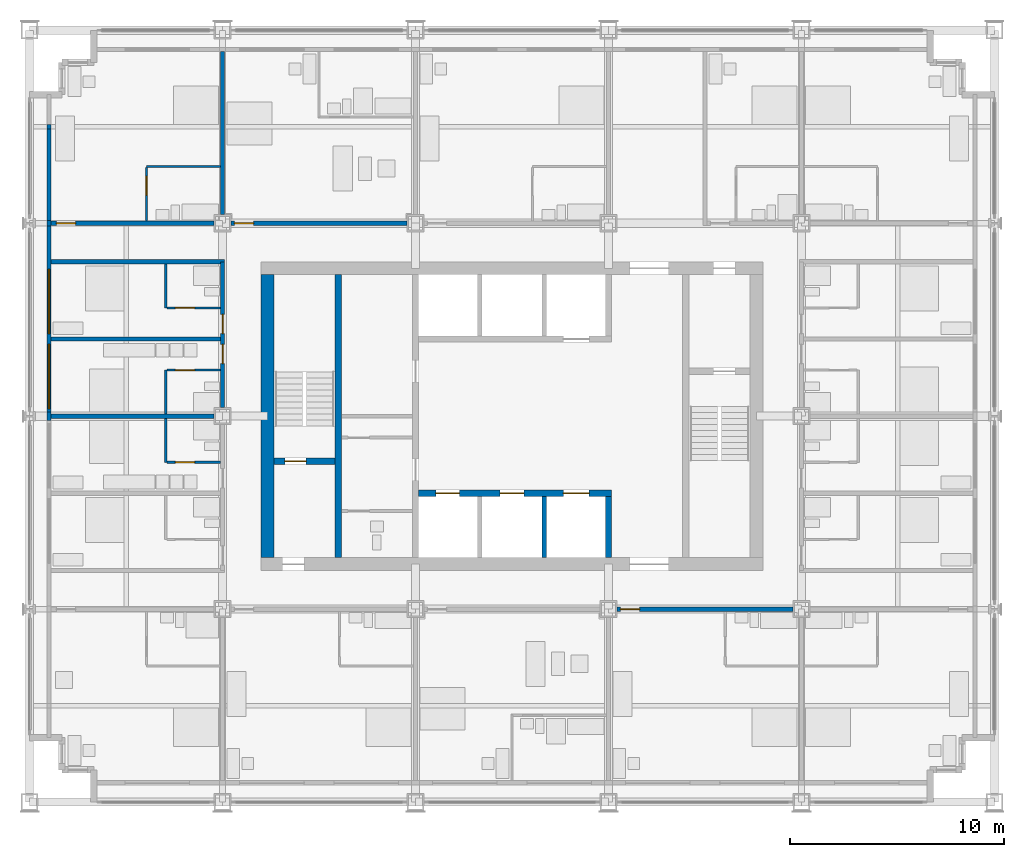
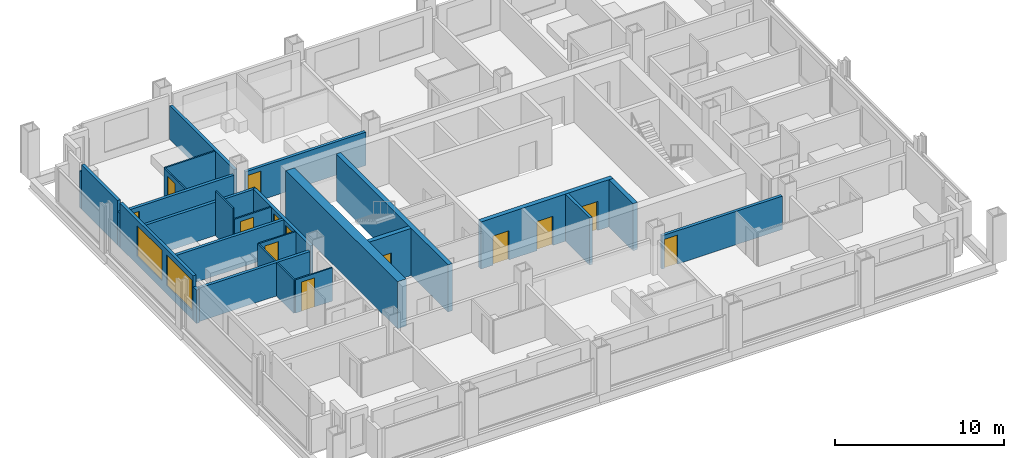
# One storey, part 10 of 16: 27 walls, 13 doors, 2 windows, 15 openings.
"""IFC4 building model written with IfcOpenShell, lengths in metres."""

from ifc_helpers import new_model, si_unit, direction, frame, frame_2d, origin, place, context, subcontext, project, spatial, rectangle, extrude, material, layer, layer_set, type_object, element, fill, save


model = new_model("IFC4")

# Units and contexts
model_context = context("Model", 3, precision=1e-05, world=origin(), true_north=direction((0.0, 1.0)))
body_context = subcontext(model_context, "Body", "Model", "MODEL_VIEW")
ifc_project = project(units=[si_unit("LENGTHUNIT", "METRE"), si_unit("AREAUNIT", "SQUARE_METRE"), si_unit("VOLUMEUNIT", "CUBIC_METRE"), si_unit("PLANEANGLEUNIT", "RADIAN"), si_unit("MASSUNIT", "GRAM", prefix="KILO")], contexts=[model_context])

# Site, building, storey
site_placement = place(None, origin())
site = spatial("IfcSite", under=ifc_project, at=site_placement, CompositionType="ELEMENT")
building_placement = place(site_placement, origin())
building = spatial("IfcBuilding", under=site, at=building_placement, Name="Loomwork Tower", CompositionType="ELEMENT")
storey_placement = place(building_placement, frame((0.0, 0.0, 114.60009765625)))
storey = spatial("IfcBuildingStorey", under=building, at=storey_placement, Name="L30", CompositionType="ELEMENT", Elevation=114.60009765625)

# Wall
ifc_material_1 = material(Name="Concrete 14000 psi (97 MPa)", Category="concrete")
ifc_layer_1 = layer(ifc_material_1, 0.300048828125)
ifc_layer_set_1 = layer_set([ifc_layer_1], Name="Core shear wall 300")
wall_type_1 = type_object("IfcWallType", Name="Core shear wall 300", PredefinedType="SHEAR", material=ifc_layer_set_1)
wall_1_placement = place(storey_placement, frame((14.39990234375, 11.39990234375, 0.0), z_axis=(0.0, 0.0, 1.0), x_axis=(0.0, 1.0, 0.0)))
element("IfcWall", 1, at=wall_1_placement, inside=storey, type_object=wall_type_1, Name="Stair A east wall L30", PredefinedType="SHEAR", context=body_context, shape_type="SweptSolid", body=[
    extrude(rectangle(XDim=13.2001953125, YDim=0.300048828125, at=frame_2d((6.60009765625, 0.0))), origin(), (0.0, 0.0, 1.0), 3.39990234375),
])

# Wall, opening, door
wall_2_placement = place(storey_placement, frame((11.39990234375, 15.89990234375, 0.0), z_axis=(0.0, 0.0, 1.0), x_axis=(1.0, 0.0, 0.0)))
wall_2 = element("IfcWall", 2, at=wall_2_placement, inside=storey, type_object=wall_type_1, Name="Stair A south wall L30", PredefinedType="SHEAR", context=body_context, shape_type="SweptSolid", body=[
    extrude(rectangle(XDim=2.85009765625, YDim=0.300048828125, at=frame_2d((1.425048828125, 0.0))), origin(), (0.0, 0.0, 1.0), 3.39990234375),
])
opening_1_placement = place(wall_2_placement, frame((0.5, 0.0, 0.0)))
opening_1 = element("IfcOpeningElement", 3, at=opening_1_placement, cuts=wall_2, Name="Opening D4", PredefinedType="OPENING", context=body_context, shape_type="SweptSolid", body=[
    extrude(rectangle(XDim=1.0, YDim=2.10009765625, at=frame_2d((0.5, 1.050048828125))), frame((0.0, 0.159912109375, 0.0), z_axis=(0.0, -1.0, 0.0), x_axis=(1.0, 0.0, 0.0)), (0.0, 0.0, 1.0), 0.320068359375),
])
ifc_material_2 = material(Name="Hollow metal door and frame")
door_type_1 = type_object("IfcDoorType", Name="Stair door 1000", OperationType="SINGLE_SWING_RIGHT", PredefinedType="DOOR", material=ifc_material_2)
door_1_placement = place(opening_1_placement, origin())
door_1 = element("IfcDoor", 4, at=door_1_placement, inside=storey, type_object=door_type_1, Name="Stair A door", OperationType="SINGLE_SWING_LEFT", OverallHeight=2.10009765625, OverallWidth=1.0, PredefinedType="DOOR", context=body_context, shape_type="SweptSolid", body=[
    extrude(rectangle(XDim=1.0, YDim=2.10009765625, at=frame_2d((0.5, 1.050048828125))), frame((0.0, 0.02490234375, 0.0), z_axis=(0.0, -1.0, 0.0), x_axis=(1.0, 0.0, 0.0)), (0.0, 0.0, 1.0), 0.050048828125),
])
fill(opening_1, door_1)

# Wall, openings, doors
wall_3_placement = place(storey_placement, frame((18.14990234375, 14.39990234375, 0.0), z_axis=(0.0, 0.0, 1.0), x_axis=(1.0, 0.0, 0.0)))
wall_3 = element("IfcWall", 5, at=wall_3_placement, inside=storey, type_object=wall_type_1, Name="Lift front wall south L30", PredefinedType="SHEAR", context=body_context, shape_type="SweptSolid", body=[
    extrude(rectangle(XDim=9.0, YDim=0.300048828125, at=frame_2d((4.5, 0.0))), origin(), (0.0, 0.0, 1.0), 3.39990234375),
])
opening_2_placement = place(wall_3_placement, frame((0.800048828125, 0.0, 0.0)))
opening_2 = element("IfcOpeningElement", 6, at=opening_2_placement, cuts=wall_3, Name="Opening LD1", PredefinedType="OPENING", context=body_context, shape_type="SweptSolid", body=[
    extrude(rectangle(XDim=1.10009765625, YDim=2.10009765625, at=frame_2d((0.550048828125, 1.050048828125))), frame((0.0, 0.159912109375, 0.0), z_axis=(0.0, -1.0, 0.0), x_axis=(1.0, 0.0, 0.0)), (0.0, 0.0, 1.0), 0.320068359375),
])
opening_3_placement = place(wall_3_placement, frame((3.800048828125, 0.0, 0.0)))
opening_3 = element("IfcOpeningElement", 7, at=opening_3_placement, cuts=wall_3, Name="Opening LD1", PredefinedType="OPENING", context=body_context, shape_type="SweptSolid", body=[
    extrude(rectangle(XDim=1.10009765625, YDim=2.10009765625, at=frame_2d((0.550048828125, 1.050048828125))), frame((0.0, 0.159912109375, 0.0), z_axis=(0.0, -1.0, 0.0), x_axis=(1.0, 0.0, 0.0)), (0.0, 0.0, 1.0), 0.320068359375),
])
opening_4_placement = place(wall_3_placement, frame((6.75, 0.0, 0.0)))
opening_4 = element("IfcOpeningElement", 8, at=opening_4_placement, cuts=wall_3, Name="Opening LD2", PredefinedType="OPENING", context=body_context, shape_type="SweptSolid", body=[
    extrude(rectangle(XDim=1.199951171875, YDim=2.10009765625, at=frame_2d((0.60009765625, 1.050048828125))), frame((0.0, 0.159912109375, 0.0), z_axis=(0.0, -1.0, 0.0), x_axis=(1.0, 0.0, 0.0)), (0.0, 0.0, 1.0), 0.320068359375),
])
ifc_material_3 = material(Name="Hollow metal door and frame")
door_type_2 = type_object("IfcDoorType", Name="Lift landing door 1100", OperationType="SLIDING_TO_LEFT", PredefinedType="DOOR", material=ifc_material_3)
door_2_placement = place(opening_2_placement, origin())
door_2 = element("IfcDoor", 9, at=door_2_placement, inside=storey, type_object=door_type_2, Name="Lift landing door LB1", OperationType="SLIDING_TO_LEFT", OverallHeight=2.10009765625, OverallWidth=1.10009765625, PredefinedType="DOOR", context=body_context, shape_type="SweptSolid", body=[
    extrude(rectangle(XDim=1.10009765625, YDim=2.10009765625, at=frame_2d((0.550048828125, 1.050048828125))), frame((0.0, 0.02490234375, 0.0), z_axis=(0.0, -1.0, 0.0), x_axis=(1.0, 0.0, 0.0)), (0.0, 0.0, 1.0), 0.050048828125),
])
fill(opening_2, door_2)
door_3_placement = place(opening_3_placement, origin())
door_3 = element("IfcDoor", 10, at=door_3_placement, inside=storey, type_object=door_type_2, Name="Lift landing door LB2", OperationType="SLIDING_TO_LEFT", OverallHeight=2.10009765625, OverallWidth=1.10009765625, PredefinedType="DOOR", context=body_context, shape_type="SweptSolid", body=[
    extrude(rectangle(XDim=1.10009765625, YDim=2.10009765625, at=frame_2d((0.550048828125, 1.050048828125))), frame((0.0, 0.02490234375, 0.0), z_axis=(0.0, -1.0, 0.0), x_axis=(1.0, 0.0, 0.0)), (0.0, 0.0, 1.0), 0.050048828125),
])
fill(opening_3, door_3)
ifc_material_4 = material(Name="Hollow metal door and frame")
door_type_3 = type_object("IfcDoorType", Name="Lift landing door 1200", OperationType="SLIDING_TO_LEFT", PredefinedType="DOOR", material=ifc_material_4)
door_4_placement = place(opening_4_placement, origin())
door_4 = element("IfcDoor", 11, at=door_4_placement, inside=storey, type_object=door_type_3, Name="Lift landing door LF1", OperationType="SLIDING_TO_LEFT", OverallHeight=2.10009765625, OverallWidth=1.199951171875, PredefinedType="DOOR", context=body_context, shape_type="SweptSolid", body=[
    extrude(rectangle(XDim=1.199951171875, YDim=2.10009765625, at=frame_2d((0.60009765625, 1.050048828125))), frame((0.0, 0.02490234375, 0.0), z_axis=(0.0, -1.0, 0.0), x_axis=(1.0, 0.0, 0.0)), (0.0, 0.0, 1.0), 0.050048828125),
])
fill(opening_4, door_4)

# Walls
wall_4_placement = place(storey_placement, frame((27.0, 11.39990234375, 0.0), z_axis=(0.0, 0.0, 1.0), x_axis=(0.0, 1.0, 0.0)))
element("IfcWall", 12, at=wall_4_placement, inside=storey, type_object=wall_type_1, Name="Lift shaft end wall south L30", PredefinedType="SHEAR", context=body_context, shape_type="SweptSolid", body=[
    extrude(rectangle(XDim=2.85009765625, YDim=0.300048828125, at=frame_2d((1.425048828125, 0.0))), origin(), (0.0, 0.0, 1.0), 3.39990234375),
])
ifc_material_5 = material(Name="Concrete 14000 psi (97 MPa)", Category="concrete")
ifc_layer_2 = layer(ifc_material_5, 0.60009765625)
ifc_layer_set_2 = layer_set([ifc_layer_2], Name="Core shear wall 600")
wall_type_2 = type_object("IfcWallType", Name="Core shear wall 600", PredefinedType="SHEAR", material=ifc_layer_set_2)
wall_5_placement = place(storey_placement, frame((11.10009765625, 11.39990234375, 0.0), z_axis=(0.0, 0.0, 1.0), x_axis=(0.0, 1.0, 0.0)))
element("IfcWall", 13, at=wall_5_placement, inside=storey, type_object=wall_type_2, Name="Core wall west L30", PredefinedType="SHEAR", context=body_context, shape_type="SweptSolid", body=[
    extrude(rectangle(XDim=13.2001953125, YDim=0.60009765625, at=frame_2d((6.60009765625, 0.0))), origin(), (0.0, 0.0, 1.0), 3.39990234375),
])

# Wall, opening, door
ifc_material_6 = material(Name="Gypsum board on steel studs, one-hour", Category="steel")
ifc_layer_3 = layer(ifc_material_6, 0.199951171875)
ifc_layer_set_3 = layer_set([ifc_layer_3], Name="Corridor wall 200")
wall_type_3 = type_object("IfcWallType", Name="Corridor wall 200", PredefinedType="PARTITIONING", material=ifc_layer_set_3)
wall_6_placement = place(storey_placement, frame((27.39990234375, 9.0, 0.0), z_axis=(0.0, 0.0, 1.0), x_axis=(1.0, 0.0, 0.0)))
wall_6 = element("IfcWall", 14, at=wall_6_placement, inside=storey, type_object=wall_type_3, Name="South corridor wall 4", PredefinedType="PARTITIONING", context=body_context, shape_type="SweptSolid", body=[
    extrude(rectangle(XDim=8.2001953125, YDim=0.199951171875, at=frame_2d((4.10009765625, 0.0))), origin(), (0.0, 0.0, 1.0), 2.40478515625),
])
opening_5_placement = place(wall_6_placement, frame((0.14990234375, 0.0, 0.0)))
opening_5 = element("IfcOpeningElement", 15, at=opening_5_placement, cuts=wall_6, Name="Opening D1", PredefinedType="OPENING", context=body_context, shape_type="SweptSolid", body=[
    extrude(rectangle(XDim=0.89990234375, YDim=2.10009765625, at=frame_2d((0.449951171875, 1.050048828125))), frame((0.0, 0.10986328125, 0.0), z_axis=(0.0, -1.0, 0.0), x_axis=(1.0, 0.0, 0.0)), (0.0, 0.0, 1.0), 0.219970703125),
])
ifc_material_7 = material(Name="Hollow metal door and frame")
door_type_4 = type_object("IfcDoorType", Name="Guest room entry door 900", OperationType="SINGLE_SWING_LEFT", PredefinedType="DOOR", material=ifc_material_7)
door_5_placement = place(opening_5_placement, frame((0.89990234375, 0.0, 0.0), z_axis=(0.0, 0.0, 1.0), x_axis=(-1.0, 0.0, 0.0)))
door_5 = element("IfcDoor", 16, at=door_5_placement, inside=storey, type_object=door_type_4, Name="Guest room entry door L30 4", OperationType="SINGLE_SWING_RIGHT", OverallHeight=2.10009765625, OverallWidth=0.89990234375, PredefinedType="DOOR", context=body_context, shape_type="SweptSolid", body=[
    extrude(rectangle(XDim=0.89990234375, YDim=2.10009765625, at=frame_2d((0.449951171875, 1.050048828125))), frame((0.0, 0.02490234375, 0.0), z_axis=(0.0, -1.0, 0.0), x_axis=(1.0, 0.0, 0.0)), (0.0, 0.0, 1.0), 0.050048828125),
])
fill(opening_5, door_5)

wall_7_placement = place(storey_placement, frame((1.0, 27.0, 0.0), z_axis=(0.0, 0.0, 1.0), x_axis=(1.0, 0.0, 0.0)))
wall_7 = element("IfcWall", 17, at=wall_7_placement, inside=storey, type_object=wall_type_3, Name="North corridor wall 1", PredefinedType="PARTITIONING", context=body_context, shape_type="SweptSolid", body=[
    extrude(rectangle(XDim=7.60009765625, YDim=0.199951171875, at=frame_2d((3.800048828125, 0.0))), origin(), (0.0, 0.0, 1.0), 2.43798828125),
])
opening_6_placement = place(wall_7_placement, frame((0.25, 0.0, 0.0)))
opening_6 = element("IfcOpeningElement", 18, at=opening_6_placement, cuts=wall_7, Name="Opening D1", PredefinedType="OPENING", context=body_context, shape_type="SweptSolid", body=[
    extrude(rectangle(XDim=0.89990234375, YDim=2.10009765625, at=frame_2d((0.449951171875, 1.050048828125))), frame((0.0, 0.10986328125, 0.0), z_axis=(0.0, -1.0, 0.0), x_axis=(1.0, 0.0, 0.0)), (0.0, 0.0, 1.0), 0.219970703125),
])
door_6_placement = place(opening_6_placement, origin())
door_6 = element("IfcDoor", 19, at=door_6_placement, inside=storey, type_object=door_type_4, Name="Guest room entry door L30 6", OperationType="SINGLE_SWING_LEFT", OverallHeight=2.10009765625, OverallWidth=0.89990234375, PredefinedType="DOOR", context=body_context, shape_type="SweptSolid", body=[
    extrude(rectangle(XDim=0.89990234375, YDim=2.10009765625, at=frame_2d((0.449951171875, 1.050048828125))), frame((0.0, 0.02490234375, 0.0), z_axis=(0.0, -1.0, 0.0), x_axis=(1.0, 0.0, 0.0)), (0.0, 0.0, 1.0), 0.050048828125),
])
fill(opening_6, door_6)

wall_8_placement = place(storey_placement, frame((9.39990234375, 27.0, 0.0), z_axis=(0.0, 0.0, 1.0), x_axis=(1.0, 0.0, 0.0)))
wall_8 = element("IfcWall", 20, at=wall_8_placement, inside=storey, type_object=wall_type_3, Name="North corridor wall 2", PredefinedType="PARTITIONING", context=body_context, shape_type="SweptSolid", body=[
    extrude(rectangle(XDim=8.2001953125, YDim=0.199951171875, at=frame_2d((4.10009765625, 0.0))), origin(), (0.0, 0.0, 1.0), 2.40478515625),
])
opening_7_placement = place(wall_8_placement, frame((0.14990234375, 0.0, 0.0)))
opening_7 = element("IfcOpeningElement", 21, at=opening_7_placement, cuts=wall_8, Name="Opening D1", PredefinedType="OPENING", context=body_context, shape_type="SweptSolid", body=[
    extrude(rectangle(XDim=0.89990234375, YDim=2.10009765625, at=frame_2d((0.449951171875, 1.050048828125))), frame((0.0, 0.10986328125, 0.0), z_axis=(0.0, -1.0, 0.0), x_axis=(1.0, 0.0, 0.0)), (0.0, 0.0, 1.0), 0.219970703125),
])
door_7_placement = place(opening_7_placement, origin())
door_7 = element("IfcDoor", 22, at=door_7_placement, inside=storey, type_object=door_type_4, Name="Guest room entry door L30 7", OperationType="SINGLE_SWING_LEFT", OverallHeight=2.10009765625, OverallWidth=0.89990234375, PredefinedType="DOOR", context=body_context, shape_type="SweptSolid", body=[
    extrude(rectangle(XDim=0.89990234375, YDim=2.10009765625, at=frame_2d((0.449951171875, 1.050048828125))), frame((0.0, 0.02490234375, 0.0), z_axis=(0.0, -1.0, 0.0), x_axis=(1.0, 0.0, 0.0)), (0.0, 0.0, 1.0), 0.050048828125),
])
fill(opening_7, door_7)

# Wall, openings, doors
wall_9_placement = place(storey_placement, frame((9.0, 18.39990234375, 0.0), z_axis=(0.0, 0.0, 1.0), x_axis=(0.0, 1.0, 0.0)))
wall_9 = element("IfcWall", 23, at=wall_9_placement, inside=storey, type_object=wall_type_3, Name="West corridor wall 2", PredefinedType="PARTITIONING", context=body_context, shape_type="SweptSolid", body=[
    extrude(rectangle(XDim=6.800048828125, YDim=0.199951171875, at=frame_2d((3.39990234375, 0.0))), origin(), (0.0, 0.0, 1.0), 2.40478515625),
])
opening_8_placement = place(wall_9_placement, frame((2.050048828125, 0.0, 0.0)))
opening_8 = element("IfcOpeningElement", 24, at=opening_8_placement, cuts=wall_9, Name="Opening D1", PredefinedType="OPENING", context=body_context, shape_type="SweptSolid", body=[
    extrude(rectangle(XDim=0.89990234375, YDim=2.10009765625, at=frame_2d((0.449951171875, 1.050048828125))), frame((0.0, 0.10986328125, 0.0), z_axis=(0.0, -1.0, 0.0), x_axis=(1.0, 0.0, 0.0)), (0.0, 0.0, 1.0), 0.219970703125),
])
opening_9_placement = place(wall_9_placement, frame((3.449951171875, 0.0, 0.0)))
opening_9 = element("IfcOpeningElement", 25, at=opening_9_placement, cuts=wall_9, Name="Opening D1", PredefinedType="OPENING", context=body_context, shape_type="SweptSolid", body=[
    extrude(rectangle(XDim=0.89990234375, YDim=2.10009765625, at=frame_2d((0.449951171875, 1.050048828125))), frame((0.0, 0.10986328125, 0.0), z_axis=(0.0, -1.0, 0.0), x_axis=(1.0, 0.0, 0.0)), (0.0, 0.0, 1.0), 0.219970703125),
])
door_8_placement = place(opening_8_placement, origin())
door_8 = element("IfcDoor", 26, at=door_8_placement, inside=storey, type_object=door_type_4, Name="Guest room entry door L30 13", OperationType="SINGLE_SWING_RIGHT", OverallHeight=2.10009765625, OverallWidth=0.89990234375, PredefinedType="DOOR", context=body_context, shape_type="SweptSolid", body=[
    extrude(rectangle(XDim=0.89990234375, YDim=2.10009765625, at=frame_2d((0.449951171875, 1.050048828125))), frame((0.0, 0.02490234375, 0.0), z_axis=(0.0, -1.0, 0.0), x_axis=(1.0, 0.0, 0.0)), (0.0, 0.0, 1.0), 0.050048828125),
])
fill(opening_8, door_8)
door_9_placement = place(opening_9_placement, origin())
door_9 = element("IfcDoor", 27, at=door_9_placement, inside=storey, type_object=door_type_4, Name="Guest room entry door L30 14", OperationType="SINGLE_SWING_LEFT", OverallHeight=2.10009765625, OverallWidth=0.89990234375, PredefinedType="DOOR", context=body_context, shape_type="SweptSolid", body=[
    extrude(rectangle(XDim=0.89990234375, YDim=2.10009765625, at=frame_2d((0.449951171875, 1.050048828125))), frame((0.0, 0.02490234375, 0.0), z_axis=(0.0, -1.0, 0.0), x_axis=(1.0, 0.0, 0.0)), (0.0, 0.0, 1.0), 0.050048828125),
])
fill(opening_9, door_9)

# Walls
wall_10_placement = place(storey_placement, frame((1.0, 25.199951171875, 0.0), z_axis=(0.0, 0.0, 1.0), x_axis=(1.0, 0.0, 0.0)))
element("IfcWall", 28, at=wall_10_placement, inside=storey, type_object=wall_type_3, Name="West band end wall N", PredefinedType="PARTITIONING", context=body_context, shape_type="SweptSolid", body=[
    extrude(rectangle(XDim=8.10009765625, YDim=0.199951171875, at=frame_2d((4.050048828125, 0.0))), origin(), (0.0, 0.0, 1.0), 2.40380859375),
])
ifc_material_8 = material(Name="Cement board on steel studs", Category="steel")
ifc_layer_4 = layer(ifc_material_8, 0.10009765625)
ifc_layer_set_4 = layer_set([ifc_layer_4], Name="En-suite partition 100")
wall_type_4 = type_object("IfcWallType", Name="En-suite partition 100", PredefinedType="PARTITIONING", material=ifc_layer_set_4)
wall_11_placement = place(storey_placement, frame((5.449951171875, 29.64990234375, 0.0), z_axis=(0.0, 0.0, 1.0), x_axis=(1.0, 0.0, 0.0)))
element("IfcWall", 29, at=wall_11_placement, inside=storey, type_object=wall_type_4, Name="En-suite wall L30 room 6", PredefinedType="PARTITIONING", context=body_context, shape_type="SweptSolid", body=[
    extrude(rectangle(XDim=3.449951171875, YDim=0.10009765625, at=frame_2d((1.72509765625, 0.0))), origin(), (0.0, 0.0, 1.0), 2.43798828125),
])

# Wall, opening, door
wall_12_placement = place(storey_placement, frame((5.449951171875, 27.10009765625, 0.0), z_axis=(0.0, 0.0, 1.0), x_axis=(0.0, 1.0, 0.0)))
wall_12 = element("IfcWall", 30, at=wall_12_placement, inside=storey, type_object=wall_type_4, Name="En-suite side wall L30 room 6", PredefinedType="PARTITIONING", context=body_context, shape_type="SweptSolid", body=[
    extrude(rectangle(XDim=2.5, YDim=0.10009765625, at=frame_2d((1.25, 0.0))), origin(), (0.0, 0.0, 1.0), 2.43798828125),
])
opening_10_placement = place(wall_12_placement, frame((1.199951171875, 0.0, 0.0)))
opening_10 = element("IfcOpeningElement", 31, at=opening_10_placement, cuts=wall_12, Name="Opening D2", PredefinedType="OPENING", context=body_context, shape_type="SweptSolid", body=[
    extrude(rectangle(XDim=0.89990234375, YDim=2.10009765625, at=frame_2d((0.449951171875, 1.050048828125))), frame((0.0, 0.06005859375, 0.0), z_axis=(0.0, -1.0, 0.0), x_axis=(1.0, 0.0, 0.0)), (0.0, 0.0, 1.0), 0.1201171875),
])
ifc_material_9 = material(Name="Hollow metal door and frame")
door_type_5 = type_object("IfcDoorType", Name="En-suite door 900", OperationType="SINGLE_SWING_LEFT", PredefinedType="DOOR", material=ifc_material_9)
door_10_placement = place(opening_10_placement, frame((0.89990234375, 0.0, 0.0), z_axis=(0.0, 0.0, 1.0), x_axis=(-1.0, 0.0, 0.0)))
door_10 = element("IfcDoor", 32, at=door_10_placement, inside=storey, type_object=door_type_5, Name="En-suite door room 6", OperationType="SINGLE_SWING_LEFT", OverallHeight=2.10009765625, OverallWidth=0.89990234375, PredefinedType="DOOR", context=body_context, shape_type="SweptSolid", body=[
    extrude(rectangle(XDim=0.89990234375, YDim=2.10009765625, at=frame_2d((0.449951171875, 1.050048828125))), frame((0.0, 0.02490234375, 0.0), z_axis=(0.0, -1.0, 0.0), x_axis=(1.0, 0.0, 0.0)), (0.0, 0.0, 1.0), 0.050048828125),
])
fill(opening_10, door_10)

# Wall
wall_13_placement = place(storey_placement, frame((6.35009765625, 15.85009765625, 0.0), z_axis=(0.0, 0.0, 1.0), x_axis=(0.0, 1.0, 0.0)))
element("IfcWall", 33, at=wall_13_placement, inside=storey, type_object=wall_type_4, Name="En-suite wall L30 room 12", PredefinedType="PARTITIONING", context=body_context, shape_type="SweptSolid", body=[
    extrude(rectangle(XDim=2.0498046875, YDim=0.10009765625, at=frame_2d((1.02490234375, 0.0))), origin(), (0.0, 0.0, 1.0), 2.40380859375),
])

# Wall, opening, door
wall_14_placement = place(storey_placement, frame((8.89990234375, 15.85009765625, 0.0), z_axis=(0.0, 0.0, 1.0), x_axis=(-1.0, 0.0, 0.0)))
wall_14 = element("IfcWall", 34, at=wall_14_placement, inside=storey, type_object=wall_type_4, Name="En-suite side wall L30 room 12", PredefinedType="PARTITIONING", context=body_context, shape_type="SweptSolid", body=[
    extrude(rectangle(XDim=2.5, YDim=0.10009765625, at=frame_2d((1.25, 0.0))), origin(), (0.0, 0.0, 1.0), 2.40380859375),
])
opening_11_placement = place(wall_14_placement, frame((1.199951171875, 0.0, 0.0)))
opening_11 = element("IfcOpeningElement", 35, at=opening_11_placement, cuts=wall_14, Name="Opening D2", PredefinedType="OPENING", context=body_context, shape_type="SweptSolid", body=[
    extrude(rectangle(XDim=0.89990234375, YDim=2.10009765625, at=frame_2d((0.449951171875, 1.050048828125))), frame((0.0, 0.06005859375, 0.0), z_axis=(0.0, -1.0, 0.0), x_axis=(1.0, 0.0, 0.0)), (0.0, 0.0, 1.0), 0.1201171875),
])
door_11_placement = place(opening_11_placement, frame((0.89990234375, 0.0, 0.0), z_axis=(0.0, 0.0, 1.0), x_axis=(-1.0, 0.0, 0.0)))
door_11 = element("IfcDoor", 36, at=door_11_placement, inside=storey, type_object=door_type_5, Name="En-suite door room 12", OperationType="SINGLE_SWING_LEFT", OverallHeight=2.10009765625, OverallWidth=0.89990234375, PredefinedType="DOOR", context=body_context, shape_type="SweptSolid", body=[
    extrude(rectangle(XDim=0.89990234375, YDim=2.10009765625, at=frame_2d((0.449951171875, 1.050048828125))), frame((0.0, 0.02490234375, 0.0), z_axis=(0.0, -1.0, 0.0), x_axis=(1.0, 0.0, 0.0)), (0.0, 0.0, 1.0), 0.050048828125),
])
fill(opening_11, door_11)

# Wall
wall_15_placement = place(storey_placement, frame((6.35009765625, 18.10009765625, 0.0), z_axis=(0.0, 0.0, 1.0), x_axis=(0.0, 1.0, 0.0)))
element("IfcWall", 37, at=wall_15_placement, inside=storey, type_object=wall_type_4, Name="En-suite wall L30 room 13", PredefinedType="PARTITIONING", context=body_context, shape_type="SweptSolid", body=[
    extrude(rectangle(XDim=2.0498046875, YDim=0.10009765625, at=frame_2d((1.02490234375, 0.0))), origin(), (0.0, 0.0, 1.0), 2.40380859375),
])

# Wall, opening, door
wall_16_placement = place(storey_placement, frame((8.89990234375, 20.14990234375, 0.0), z_axis=(0.0, 0.0, 1.0), x_axis=(-1.0, 0.0, 0.0)))
wall_16 = element("IfcWall", 38, at=wall_16_placement, inside=storey, type_object=wall_type_4, Name="En-suite side wall L30 room 13", PredefinedType="PARTITIONING", context=body_context, shape_type="SweptSolid", body=[
    extrude(rectangle(XDim=2.5, YDim=0.10009765625, at=frame_2d((1.25, 0.0))), origin(), (0.0, 0.0, 1.0), 2.40380859375),
])
opening_12_placement = place(wall_16_placement, frame((1.199951171875, 0.0, 0.0)))
opening_12 = element("IfcOpeningElement", 39, at=opening_12_placement, cuts=wall_16, Name="Opening D2", PredefinedType="OPENING", context=body_context, shape_type="SweptSolid", body=[
    extrude(rectangle(XDim=0.89990234375, YDim=2.10009765625, at=frame_2d((0.449951171875, 1.050048828125))), frame((0.0, 0.06005859375, 0.0), z_axis=(0.0, -1.0, 0.0), x_axis=(1.0, 0.0, 0.0)), (0.0, 0.0, 1.0), 0.1201171875),
])
door_12_placement = place(opening_12_placement, origin())
door_12 = element("IfcDoor", 40, at=door_12_placement, inside=storey, type_object=door_type_5, Name="En-suite door room 13", OperationType="SINGLE_SWING_RIGHT", OverallHeight=2.10009765625, OverallWidth=0.89990234375, PredefinedType="DOOR", context=body_context, shape_type="SweptSolid", body=[
    extrude(rectangle(XDim=0.89990234375, YDim=2.10009765625, at=frame_2d((0.449951171875, 1.050048828125))), frame((0.0, 0.02490234375, 0.0), z_axis=(0.0, -1.0, 0.0), x_axis=(1.0, 0.0, 0.0)), (0.0, 0.0, 1.0), 0.050048828125),
])
fill(opening_12, door_12)

# Wall
wall_17_placement = place(storey_placement, frame((6.35009765625, 23.050048828125, 0.0), z_axis=(0.0, 0.0, 1.0), x_axis=(0.0, 1.0, 0.0)))
element("IfcWall", 41, at=wall_17_placement, inside=storey, type_object=wall_type_4, Name="En-suite wall L30 room 14", PredefinedType="PARTITIONING", context=body_context, shape_type="SweptSolid", body=[
    extrude(rectangle(XDim=2.050048828125, YDim=0.10009765625, at=frame_2d((1.02490234375, 0.0))), origin(), (0.0, 0.0, 1.0), 3.199951171875),
])

# Wall, opening, door
wall_18_placement = place(storey_placement, frame((8.89990234375, 23.050048828125, 0.0), z_axis=(0.0, 0.0, 1.0), x_axis=(-1.0, 0.0, 0.0)))
wall_18 = element("IfcWall", 42, at=wall_18_placement, inside=storey, type_object=wall_type_4, Name="En-suite side wall L30 room 14", PredefinedType="PARTITIONING", context=body_context, shape_type="SweptSolid", body=[
    extrude(rectangle(XDim=2.5, YDim=0.10009765625, at=frame_2d((1.25, 0.0))), origin(), (0.0, 0.0, 1.0), 2.40380859375),
])
opening_13_placement = place(wall_18_placement, frame((1.199951171875, 0.0, 0.0)))
opening_13 = element("IfcOpeningElement", 43, at=opening_13_placement, cuts=wall_18, Name="Opening D2", PredefinedType="OPENING", context=body_context, shape_type="SweptSolid", body=[
    extrude(rectangle(XDim=0.89990234375, YDim=2.10009765625, at=frame_2d((0.449951171875, 1.050048828125))), frame((0.0, 0.06005859375, 0.0), z_axis=(0.0, -1.0, 0.0), x_axis=(1.0, 0.0, 0.0)), (0.0, 0.0, 1.0), 0.1201171875),
])
door_13_placement = place(opening_13_placement, frame((0.89990234375, 0.0, 0.0), z_axis=(0.0, 0.0, 1.0), x_axis=(-1.0, 0.0, 0.0)))
door_13 = element("IfcDoor", 44, at=door_13_placement, inside=storey, type_object=door_type_5, Name="En-suite door room 14", OperationType="SINGLE_SWING_LEFT", OverallHeight=2.10009765625, OverallWidth=0.89990234375, PredefinedType="DOOR", context=body_context, shape_type="SweptSolid", body=[
    extrude(rectangle(XDim=0.89990234375, YDim=2.10009765625, at=frame_2d((0.449951171875, 1.050048828125))), frame((0.0, 0.02490234375, 0.0), z_axis=(0.0, -1.0, 0.0), x_axis=(1.0, 0.0, 0.0)), (0.0, 0.0, 1.0), 0.050048828125),
])
fill(opening_13, door_13)

# Walls
ifc_material_10 = material(Name="Gypsum board on steel studs, acoustic", Category="steel")
ifc_layer_5 = layer(ifc_material_10, 0.199951171875)
ifc_layer_set_5 = layer_set([ifc_layer_5], Name="Guest room party wall 200")
wall_type_5 = type_object("IfcWallType", Name="Guest room party wall 200", PredefinedType="PARTITIONING", material=ifc_layer_set_5)
wall_19_placement = place(storey_placement, frame((9.0, 27.39990234375, 0.0), z_axis=(0.0, 0.0, 1.0), x_axis=(0.0, 1.0, 0.0)))
element("IfcWall", 45, at=wall_19_placement, inside=storey, type_object=wall_type_5, Name="Guest room party wall N 9", PredefinedType="PARTITIONING", context=body_context, shape_type="SweptSolid", body=[
    extrude(rectangle(XDim=7.60009765625, YDim=0.199951171875, at=frame_2d((3.800048828125, 0.0))), origin(), (0.0, 0.0, 1.0), 2.43798828125),
])
wall_20_placement = place(storey_placement, frame((8.60009765625, 18.0, 0.0), z_axis=(0.0, 0.0, 1.0), x_axis=(-1.0, 0.0, 0.0)))
element("IfcWall", 46, at=wall_20_placement, inside=storey, type_object=wall_type_5, Name="Guest room party wall W 18", PredefinedType="PARTITIONING", context=body_context, shape_type="SweptSolid", body=[
    extrude(rectangle(XDim=7.60009765625, YDim=0.199951171875, at=frame_2d((3.800048828125, 0.0))), origin(), (0.0, 0.0, 1.0), 2.40478515625),
])
wall_21_placement = place(storey_placement, frame((8.89990234375, 21.60009765625, 0.0), z_axis=(0.0, 0.0, 1.0), x_axis=(-1.0, 0.0, 0.0)))
element("IfcWall", 47, at=wall_21_placement, inside=storey, type_object=wall_type_5, Name="Guest room party wall W 21.6", PredefinedType="PARTITIONING", context=body_context, shape_type="SweptSolid", body=[
    extrude(rectangle(XDim=7.89990234375, YDim=0.199951171875, at=frame_2d((3.949951171875, 0.0))), origin(), (0.0, 0.0, 1.0), 2.40380859375),
])
ifc_material_11 = material(Name="Insulated steel stud wall with gypsum lining", Category="steel")
ifc_layer_6 = layer(ifc_material_11, 0.199951171875)
ifc_layer_set_6 = layer_set([ifc_layer_6], Name="Inner skin wall 200")
wall_type_6 = type_object("IfcWallType", Name="Inner skin wall 200", PredefinedType="SOLIDWALL", material=ifc_layer_set_6)
wall_22_placement = place(storey_placement, frame((0.89990234375, 17.80615234375, 0.0), z_axis=(0.0, 0.0, 1.0), x_axis=(0.0, 1.0, 0.0)))
element("IfcWall", 48, at=wall_22_placement, inside=storey, type_object=wall_type_6, Name="Inner skin wall W bay 6", PredefinedType="SOLIDWALL", context=body_context, shape_type="SweptSolid", body=[
    extrude(rectangle(XDim=0.3876953125, YDim=0.199951171875, at=frame_2d((0.19384765625, 0.0))), origin(), (0.0, 0.0, 1.0), 2.40380859375),
])

# Wall, openings, windows
wall_23_placement = place(storey_placement, frame((0.89990234375, 18.19384765625, 0.0), z_axis=(0.0, 0.0, 1.0), x_axis=(0.0, 1.0, 0.0)))
wall_23 = element("IfcWall", 49, at=wall_23_placement, inside=storey, type_object=wall_type_6, Name="Inner skin wall W bay 7", PredefinedType="SOLIDWALL", context=body_context, shape_type="SweptSolid", body=[
    extrude(rectangle(XDim=8.6708984375, YDim=0.199951171875, at=frame_2d((4.33544921875, 0.0))), origin(), (0.0, 0.0, 1.0), 3.199951171875),
])
opening_14_placement = place(wall_23_placement, frame((0.15625, 0.0, 0.60009765625)))
opening_14 = element("IfcOpeningElement", 50, at=opening_14_placement, cuts=wall_23, Name="Opening CH1", PredefinedType="OPENING", context=body_context, shape_type="SweptSolid", body=[
    extrude(rectangle(XDim=3.0, YDim=2.199951171875, at=frame_2d((1.5, 1.10009765625))), frame((0.0, 0.10986328125, 0.0), z_axis=(0.0, -1.0, 0.0), x_axis=(1.0, 0.0, 0.0)), (0.0, 0.0, 1.0), 0.219970703125),
])
opening_15_placement = place(wall_23_placement, frame((3.65625, 0.0, 0.60009765625)))
opening_15 = element("IfcOpeningElement", 51, at=opening_15_placement, cuts=wall_23, Name="Opening CH1", PredefinedType="OPENING", context=body_context, shape_type="SweptSolid", body=[
    extrude(rectangle(XDim=3.0, YDim=2.199951171875, at=frame_2d((1.5, 1.10009765625))), frame((0.0, 0.10986328125, 0.0), z_axis=(0.0, -1.0, 0.0), x_axis=(1.0, 0.0, 0.0)), (0.0, 0.0, 1.0), 0.219970703125),
])
ifc_material_12 = material(Name="Aluminium frame with clear insulated glass", Category="aluminium")
window_type = type_object("IfcWindowType", Name="Chicago window 3000", PartitioningType="TRIPLE_PANEL_VERTICAL", PredefinedType="WINDOW", material=ifc_material_12)
window_1_placement = place(opening_14_placement, origin())
window_1 = element("IfcWindow", 52, at=window_1_placement, inside=storey, type_object=window_type, Name="Chicago window L30 bay 12", OverallHeight=2.199951171875, OverallWidth=3.0, PartitioningType="TRIPLE_PANEL_VERTICAL", PredefinedType="WINDOW", context=body_context, shape_type="SweptSolid", body=[
    extrude(rectangle(XDim=3.0, YDim=2.199951171875, at=frame_2d((1.5, 1.10009765625))), frame((0.0, 0.030029296875, 0.0), z_axis=(0.0, -1.0, 0.0), x_axis=(1.0, 0.0, 0.0)), (0.0, 0.0, 1.0), 0.06005859375),
])
fill(opening_14, window_1)
window_2_placement = place(opening_15_placement, origin())
window_2 = element("IfcWindow", 53, at=window_2_placement, inside=storey, type_object=window_type, Name="Chicago window L30 bay 12", OverallHeight=2.199951171875, OverallWidth=3.0, PartitioningType="TRIPLE_PANEL_VERTICAL", PredefinedType="WINDOW", context=body_context, shape_type="SweptSolid", body=[
    extrude(rectangle(XDim=3.0, YDim=2.199951171875, at=frame_2d((1.5, 1.10009765625))), frame((0.0, 0.030029296875, 0.0), z_axis=(0.0, -1.0, 0.0), x_axis=(1.0, 0.0, 0.0)), (0.0, 0.0, 1.0), 0.06005859375),
])
fill(opening_15, window_2)

# Walls
wall_24_placement = place(storey_placement, frame((0.89990234375, 26.86474609375, 0.0), z_axis=(0.0, 0.0, 1.0), x_axis=(0.0, 1.0, 0.0)))
element("IfcWall", 54, at=wall_24_placement, inside=storey, type_object=wall_type_6, Name="Inner skin wall W bay 8", PredefinedType="SOLIDWALL", context=body_context, shape_type="SweptSolid", body=[
    extrude(rectangle(XDim=0.2705078125, YDim=0.199951171875, at=frame_2d((0.13525390625, 0.0))), origin(), (0.0, 0.0, 1.0), 2.43798828125),
])
wall_25_placement = place(storey_placement, frame((0.89990234375, 27.13525390625, 0.0), z_axis=(0.0, 0.0, 1.0), x_axis=(0.0, 1.0, 0.0)))
element("IfcWall", 55, at=wall_25_placement, inside=storey, type_object=wall_type_6, Name="Inner skin wall W bay 9", PredefinedType="SOLIDWALL", context=body_context, shape_type="SweptSolid", body=[
    extrude(rectangle(XDim=4.25732421875, YDim=0.199951171875, at=frame_2d((2.128662109375, 0.0))), origin(), (0.0, 0.0, 1.0), 3.199951171875),
])
wall_26_placement = place(storey_placement, frame((0.89990234375, 31.392578125, 0.0), z_axis=(0.0, 0.0, 1.0), x_axis=(0.0, 1.0, 0.0)))
element("IfcWall", 56, at=wall_26_placement, inside=storey, type_object=wall_type_6, Name="Inner skin wall W bay 10", PredefinedType="SOLIDWALL", context=body_context, shape_type="SweptSolid", body=[
    extrude(rectangle(XDim=0.21484375, YDim=0.199951171875, at=frame_2d((0.107421875, 0.0))), origin(), (0.0, 0.0, 1.0), 2.660888671875),
])
ifc_material_13 = material(Name="Concrete 14000 psi (97 MPa)", Category="concrete")
ifc_layer_7 = layer(ifc_material_13, 0.199951171875)
ifc_layer_set_7 = layer_set([ifc_layer_7], Name="Lift shaft wall 200")
wall_type_7 = type_object("IfcWallType", Name="Lift shaft wall 200", PredefinedType="SHEAR", material=ifc_layer_set_7)
wall_27_placement = place(storey_placement, frame((24.0, 11.39990234375, 0.0), z_axis=(0.0, 0.0, 1.0), x_axis=(0.0, 1.0, 0.0)))
element("IfcWall", 57, at=wall_27_placement, inside=storey, type_object=wall_type_7, Name="Lift shaft separation wall south 2 L30", PredefinedType="SHEAR", context=body_context, shape_type="SweptSolid", body=[
    extrude(rectangle(XDim=2.85009765625, YDim=0.199951171875, at=frame_2d((1.425048828125, 0.0))), origin(), (0.0, 0.0, 1.0), 3.39990234375),
])

save(model, "model.ifc")
